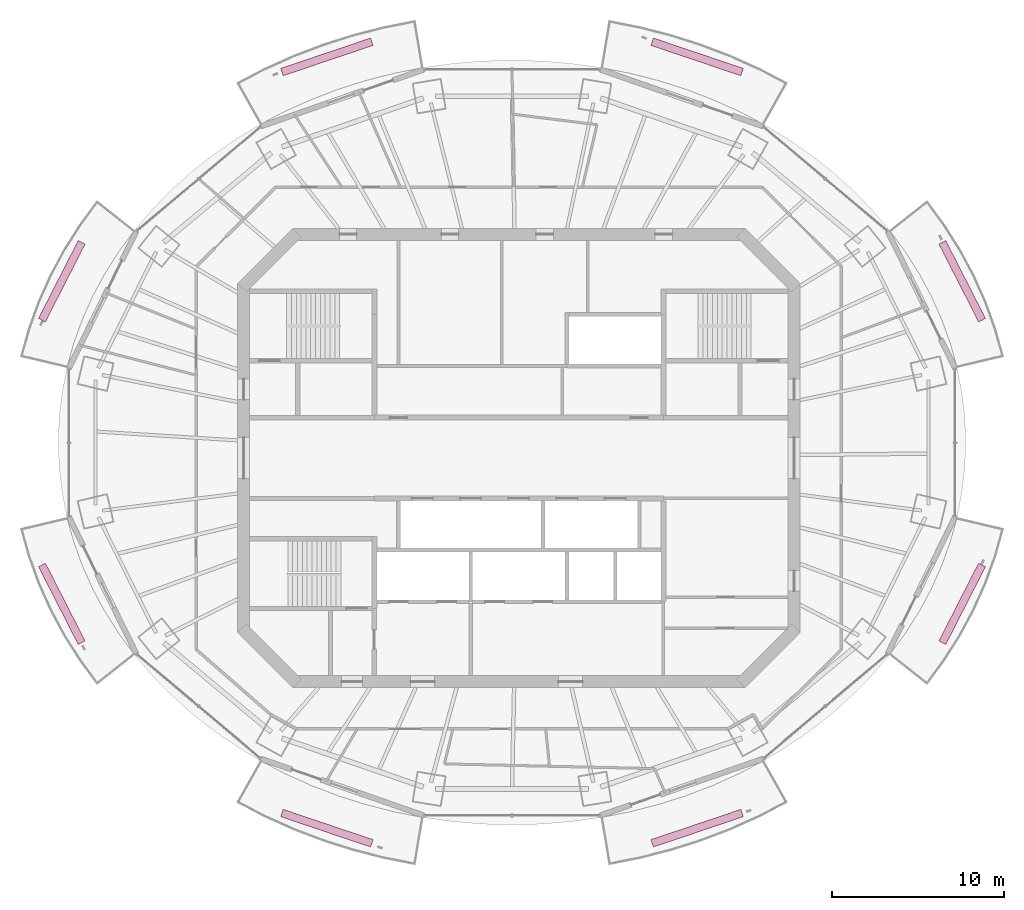
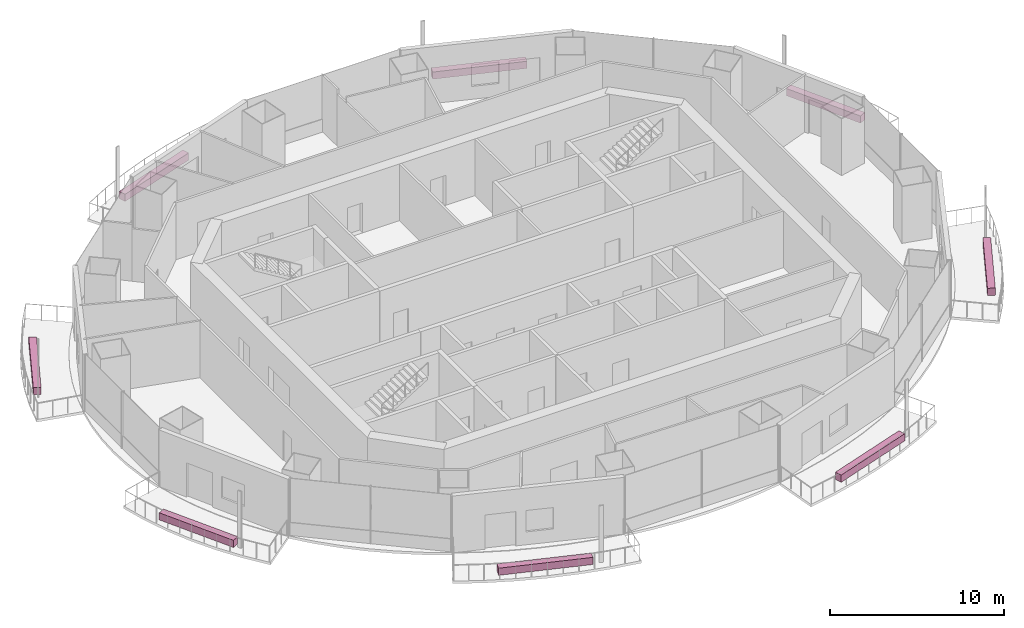
# One storey, part 16 of 16: 8 furnishings.
"""IFC4 building model written with IfcOpenShell, lengths in metres."""

from ifc_helpers import new_model, si_unit, direction, frame, origin, origin_2d, place, context, subcontext, project, spatial, rectangle, extrude, material, type_object, element, save


model = new_model("IFC4")

# Units and contexts
model_context = context("Model", 3, precision=1e-05, world=origin(), true_north=direction((0.0, 1.0)))
body_context = subcontext(model_context, "Body", "Model", "MODEL_VIEW")
ifc_project = project(units=[si_unit("LENGTHUNIT", "METRE"), si_unit("AREAUNIT", "SQUARE_METRE"), si_unit("VOLUMEUNIT", "CUBIC_METRE"), si_unit("PLANEANGLEUNIT", "RADIAN"), si_unit("MASSUNIT", "GRAM", prefix="KILO")], contexts=[model_context])

# Site, building, storey
site_placement = place(None, origin())
site = spatial("IfcSite", under=ifc_project, at=site_placement, CompositionType="ELEMENT")
building_placement = place(site_placement, origin())
building = spatial("IfcBuilding", under=site, at=building_placement, Name="Marenthal Gate Tower", CompositionType="ELEMENT")
storey_placement = place(building_placement, frame((0.0, 0.0, 359.199951171875)))
storey = spatial("IfcBuildingStorey", under=building, at=storey_placement, Name="L81", CompositionType="ELEMENT", Elevation=359.199951171875)

# Furnishings
ifc_material = material(Name="Planting soil and foliage", Category="planting")
furnishing_element_type = type_object("IfcFurnishingElementType", Name="Balcony PLANTER trough", material=ifc_material)
furnishing_1_placement = place(storey_placement, frame((25.7724609375, 10.27685546875, -0.0400390625), z_axis=(0.0, 0.0, 1.0), x_axis=(-0.454595744024, 0.890697877799, 0.0)))
element("IfcFurnishingElement", 1, at=furnishing_1_placement, inside=storey, type_object=furnishing_element_type, Name="Balcony PLANTER L81 bay 1", ObjectType="PLANTER", context=body_context, shape_type="SweptSolid", body=[
    extrude(rectangle(XDim=5.07421875, YDim=0.449951171875, at=origin_2d()), origin(), (0.0, 0.0, 1.0), 0.5),
])
for number, where, z_axis, x_axis, name in (
    (2, (10.3623046875, 23.319580078125, -0.0400390625), (0.0, 0.0, 1.0), (-0.947505237086, 0.319740247224, 0.0), "Balcony PLANTER L81 bay 3"),
    (3, (-11.162353515625, 23.319580078125, -0.0400390625), (0.0, 0.0, 1.0), (-0.947505237086, -0.319740247224, 0.0), "Balcony PLANTER L81 bay 5"),
):
    element("IfcFurnishingElement", number, at=place(storey_placement, frame(where, z_axis=z_axis, x_axis=x_axis)), inside=storey, type_object=furnishing_element_type, Name=name, ObjectType="PLANTER", context=body_context, shape_type="SweptSolid", body=[
        extrude(rectangle(XDim=5.519775390625, YDim=0.449951171875, at=origin_2d()), origin(), (0.0, 0.0, 1.0), 0.5),
    ])
for number, where, z_axis, x_axis, name in (
    (4, (-26.572265625, 10.27685546875, -0.0400390625), (0.0, 0.0, 1.0), (-0.454595744024, -0.890697877799, 0.0), "Balcony PLANTER L81 bay 7"),
    (5, (-26.572265625, -8.476806640625, -0.0400390625), (0.0, 0.0, 1.0), (0.454595744024, -0.890697877799, 0.0), "Balcony PLANTER L81 bay 9"),
):
    element("IfcFurnishingElement", number, at=place(storey_placement, frame(where, z_axis=z_axis, x_axis=x_axis)), inside=storey, type_object=furnishing_element_type, Name=name, ObjectType="PLANTER", context=body_context, shape_type="SweptSolid", body=[
        extrude(rectangle(XDim=5.07421875, YDim=0.449951171875, at=origin_2d()), origin(), (0.0, 0.0, 1.0), 0.5),
    ])
for number, where, z_axis, x_axis, name in (
    (6, (-11.162353515625, -21.519775390625, -0.0400390625), (0.0, 0.0, 1.0), (0.947505237086, -0.319740247224, 0.0), "Balcony PLANTER L81 bay 11"),
    (7, (10.3623046875, -21.519775390625, -0.0400390625), (0.0, 0.0, 1.0), (0.947505237086, 0.319740247224, 0.0), "Balcony PLANTER L81 bay 13"),
):
    element("IfcFurnishingElement", number, at=place(storey_placement, frame(where, z_axis=z_axis, x_axis=x_axis)), inside=storey, type_object=furnishing_element_type, Name=name, ObjectType="PLANTER", context=body_context, shape_type="SweptSolid", body=[
        extrude(rectangle(XDim=5.519775390625, YDim=0.449951171875, at=origin_2d()), origin(), (0.0, 0.0, 1.0), 0.5),
    ])
furnishing_2_placement = place(storey_placement, frame((25.7724609375, -8.476806640625, -0.0400390625), z_axis=(0.0, 0.0, 1.0), x_axis=(0.454595744024, 0.890697877799, 0.0)))
element("IfcFurnishingElement", 8, at=furnishing_2_placement, inside=storey, type_object=furnishing_element_type, Name="Balcony PLANTER L81 bay 15", ObjectType="PLANTER", context=body_context, shape_type="SweptSolid", body=[
    extrude(rectangle(XDim=5.07421875, YDim=0.449951171875, at=origin_2d()), origin(), (0.0, 0.0, 1.0), 0.5),
])

save(model, "model.ifc")
